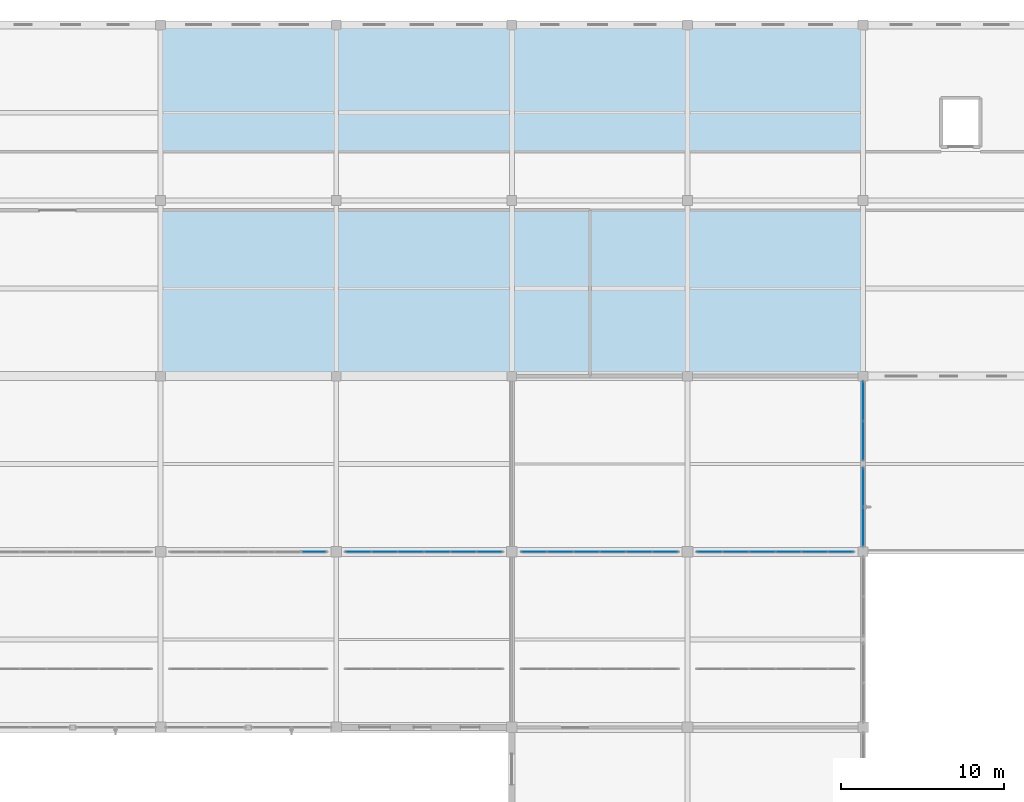
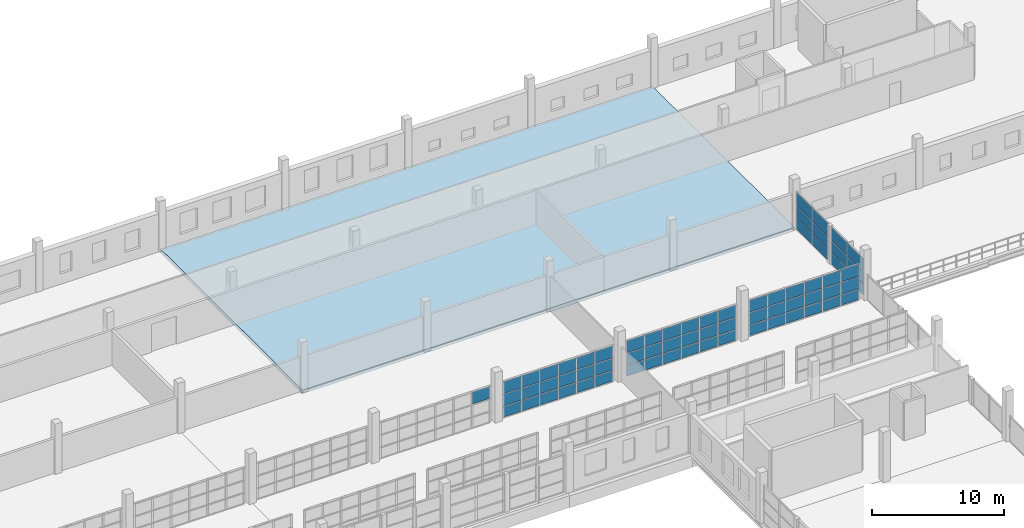
# One storey, part 101 of 142: 67 plates, 1 slab, 6 elements without a shape of their own.
"""IFC4 building model written with IfcOpenShell, lengths in metres."""

import ifcopenshell
import ifcopenshell.guid

model = None  # the IFC model being written
_history = None  # IfcOwnerHistory: only IFC2X3 demands one
_inside = {}  # id of a spatial element -> (the spatial element, [elements in it])
_under = {}  # id of a project, library or spatial element -> (it, [spatial elements below it])
_declared = {}  # id of a project -> (the project, [libraries it declares])
_typed = {}  # id of a type object -> (the type object, [elements of that type])
_made_of = {}  # id of a material, layer set ... -> (it, [elements and type objects made of it])


def new_model(schema):
    """Start an empty IFC model of exactly this schema.

    Asked for "IFC4X3", IfcOpenShell would pick the latest addendum, in which some entities
    have other attributes; the version numbers below select the first issue.
    IFC2X3 requires an IfcOwnerHistory on every rooted entity: one is made here for all.
    """
    global model, _history
    if schema == "IFC4X3":
        model = ifcopenshell.file(schema_version=(4, 3, 0, 0))
    else:
        model = ifcopenshell.file(schema=schema)
    _inside.clear()
    _under.clear()
    _declared.clear()
    _typed.clear()
    _made_of.clear()
    _history = None
    if model.schema == "IFC2X3":
        org = make("IfcOrganization", Name="unknown")
        user = make(
            "IfcPersonAndOrganization",
            ThePerson=make("IfcPerson", FamilyName="unknown"),
            TheOrganization=org,
        )
        app = make(
            "IfcApplication",
            ApplicationDeveloper=org,
            Version="unknown",
            ApplicationFullName="unknown",
            ApplicationIdentifier="unknown",
        )
        _history = make(
            "IfcOwnerHistory",
            OwningUser=user,
            OwningApplication=app,
            ChangeAction="ADDED",
            CreationDate=0,
        )
    return model


def make(cls, **values):
    """One entity of the class cls with the attributes given. An attribute that is None is left unset."""
    return model.create_entity(
        cls, **{name: value for name, value in values.items() if value is not None}
    )


def rooted(cls, **values):
    """An entity with a GlobalId (a new one), such as an element, a storey or a relation."""
    return make(cls, GlobalId=ifcopenshell.guid.new(), OwnerHistory=_history, **values)


def si_unit(unit_type, name, prefix=None):
    """IfcSIUnit, for example si_unit("LENGTHUNIT", "METRE", prefix="MILLI")."""
    return make("IfcSIUnit", UnitType=unit_type, Prefix=prefix, Name=name)


def assignment(units):
    """IfcUnitAssignment: the units of a project."""
    return None if units is None else make("IfcUnitAssignment", Units=units)


def point(xyz):
    """IfcCartesianPoint."""
    return None if xyz is None else make("IfcCartesianPoint", Coordinates=xyz)


def direction(xyz):
    """IfcDirection."""
    return None if xyz is None else make("IfcDirection", DirectionRatios=xyz)


def frame(location, z_axis=None, x_axis=None):
    """IfcAxis2Placement3D, a coordinate frame: its origin and axes. An axis left out is left unset."""
    return make(
        "IfcAxis2Placement3D",
        Location=point(location),
        Axis=direction(z_axis),
        RefDirection=direction(x_axis),
    )


def frame_2d(location, x_axis=None):
    """IfcAxis2Placement2D, a coordinate frame in the plane: its origin and x axis."""
    return make(
        "IfcAxis2Placement2D", Location=point(location), RefDirection=direction(x_axis)
    )


def origin():
    """The frame at (0, 0, 0) with its axes left unset."""
    return frame((0.0, 0.0, 0.0))


def origin_2d():
    """The frame at (0, 0) in the plane with its x axis left unset."""
    return frame_2d((0.0, 0.0))


def place(relative_to, where):
    """IfcLocalPlacement: puts the frame where relative to a parent placement (None: the world)."""
    return make(
        "IfcLocalPlacement", PlacementRelTo=relative_to, RelativePlacement=where
    )


def context(
    kind, dimensions, precision=None, world=None, true_north=None, identifier=None
):
    """IfcGeometricRepresentationContext, for example the 3D "Model" context."""
    return make(
        "IfcGeometricRepresentationContext",
        ContextIdentifier=identifier,
        ContextType=kind,
        CoordinateSpaceDimension=dimensions,
        Precision=precision,
        WorldCoordinateSystem=world,
        TrueNorth=true_north,
    )


def subcontext(parent, identifier, kind, view, scale=None):
    """IfcGeometricRepresentationSubContext, for example "Body" below "Model"."""
    return make(
        "IfcGeometricRepresentationSubContext",
        ContextIdentifier=identifier,
        ContextType=kind,
        ParentContext=parent,
        TargetScale=scale,
        TargetView=view,
    )


def project(units=None, contexts=None):
    """IfcProject with its units and contexts."""
    return rooted(
        "IfcProject",
        Name="project",
        RepresentationContexts=contexts,
        UnitsInContext=assignment(units),
    )


def spatial(cls, under=None, at=None, **own):
    """A site, building, storey or space (cls), placed at a placement, below another one or the project."""
    s = rooted(cls, ObjectPlacement=at, **own)
    if under is not None:
        _under.setdefault(under.id(), (under, []))[1].append(s)
    return s


def polyline(points):
    """IfcPolyline through the points."""
    return make("IfcPolyline", Points=[point(p) for p in points])


def profile(cls, at=None, kind="AREA", **sizes):
    """A parametric profile (cls). Its sizes go by their IFC names, for example OverallWidth=200.0."""
    return make(cls, ProfileType=kind, Position=at, **sizes)


def rectangle(**sizes):
    """IfcRectangleProfileDef."""
    return profile("IfcRectangleProfileDef", **sizes)


def outline(outer, holes=None, kind="AREA"):
    """IfcArbitraryClosedProfileDef: a profile drawn as a closed curve; with holes, ...WithVoids."""
    if holes is None:
        return make("IfcArbitraryClosedProfileDef", ProfileType=kind, OuterCurve=outer)
    return make(
        "IfcArbitraryProfileDefWithVoids",
        ProfileType=kind,
        OuterCurve=outer,
        InnerCurves=holes,
    )


def extrude(swept, where, along, depth):
    """IfcExtrudedAreaSolid: the profile swept, set in the frame where, extruded along a direction by depth."""
    return make(
        "IfcExtrudedAreaSolid",
        SweptArea=swept,
        Position=where,
        ExtrudedDirection=direction(along),
        Depth=depth,
    )


def shape(context_of_items, identifier, shape_type, items):
    """IfcShapeRepresentation: the items that make up one representation, for example the "Body"."""
    return make(
        "IfcShapeRepresentation",
        ContextOfItems=context_of_items,
        RepresentationIdentifier=identifier,
        RepresentationType=shape_type,
        Items=items,
    )


def material(Name=None, Category=None):
    """IfcMaterial."""
    return make("IfcMaterial", Name=Name, Category=Category)


def layer(
    of_material, thickness, ventilated=None, Name=None, Category=None, Priority=None
):
    """IfcMaterialLayer: one layer of a wall or slab, of a material (None: an air gap)."""
    return make(
        "IfcMaterialLayer",
        Material=of_material,
        LayerThickness=thickness,
        IsVentilated=ventilated,
        Name=Name,
        Category=Category,
        Priority=Priority,
    )


def layer_set(layers, Name=None):
    """IfcMaterialLayerSet."""
    return make("IfcMaterialLayerSet", MaterialLayers=layers, LayerSetName=Name)


def made_of(thing, what):
    """Note that an element or type object is made of a material, layer set ...; save() writes the relation."""
    if what is not None:
        _made_of.setdefault(what.id(), (what, []))[1].append(thing)
    return thing


def type_object(cls, material=None, **own):
    """A type object (cls), such as IfcWallType, which elements share."""
    return made_of(rooted(cls, **own), material)


def element(
    cls,
    number,
    at=None,
    inside=None,
    cuts=None,
    type_object=None,
    material=None,
    context=None,
    identifier="Body",
    shape_type=None,
    held_by="IfcProductDefinitionShape",
    body=None,
    shapes=None,
    **own,
):
    """One element of the class cls, such as IfcWall. Its Tag is "e" and its number.

    at: its placement. inside: the storey or other place that contains it. cuts: it is an
    opening in that element (IfcRelVoidsElement). A single representation is given by context,
    identifier, shape_type and body (its items); several are given by shapes. held_by: the class
    of the entity that holds the representations. save() writes the other relations.
    """
    e = rooted(cls, Tag="e%d" % number, ObjectPlacement=at, **own)
    if body is not None:
        shapes = [shape(context, identifier, shape_type, body)]
    if shapes is not None:
        e.Representation = make(held_by, Representations=shapes)
    if inside is not None:
        _inside.setdefault(inside.id(), (inside, []))[1].append(e)
    if cuts is not None:
        rooted(
            "IfcRelVoidsElement", RelatingBuildingElement=cuts, RelatedOpeningElement=e
        )
    if type_object is not None:
        _typed.setdefault(type_object.id(), (type_object, []))[1].append(e)
    return made_of(e, material)


def aggregate(whole, parts):
    """IfcRelAggregates: a whole, such as a stair, and the parts it consists of."""
    return rooted("IfcRelAggregates", RelatingObject=whole, RelatedObjects=parts)


def save(model, path):
    """Write the relations noted so far, then the file.

    IfcRelAggregates (storeys below a building ...), IfcRelContainedInSpatialStructure (elements
    in a storey), IfcRelDefinesByType, IfcRelAssociatesMaterial and IfcRelDeclares: one each for
    every whole, place, type object, material and project.
    """
    for whole, parts in _under.values():
        aggregate(whole, parts)
    for where, things in _inside.values():
        rooted(
            "IfcRelContainedInSpatialStructure",
            RelatedElements=things,
            RelatingStructure=where,
        )
    for kind, things in _typed.values():
        rooted("IfcRelDefinesByType", RelatedObjects=things, RelatingType=kind)
    for what, things in _made_of.values():
        rooted("IfcRelAssociatesMaterial", RelatedObjects=things, RelatingMaterial=what)
    for by, libraries in _declared.values():
        rooted("IfcRelDeclares", RelatingContext=by, RelatedDefinitions=libraries)
    model.write(path)


model = new_model("IFC4")

# Units and contexts
model_context = context("Model", 3, precision=1e-05, world=origin(), true_north=direction((0.0, 1.0)))
body_context = subcontext(model_context, "Body", "Model", "MODEL_VIEW")
ifc_project = project(units=[si_unit("LENGTHUNIT", "METRE"), si_unit("AREAUNIT", "SQUARE_METRE"), si_unit("VOLUMEUNIT", "CUBIC_METRE"), si_unit("PLANEANGLEUNIT", "RADIAN"), si_unit("MASSUNIT", "GRAM", prefix="KILO")], contexts=[model_context])

# Site, building, storey
site_placement = place(None, origin())
site = spatial("IfcSite", under=ifc_project, at=site_placement, CompositionType="ELEMENT")
building_placement = place(site_placement, origin())
building = spatial("IfcBuilding", under=site, at=building_placement, Name="Zwinboog Wholesale Market", CompositionType="ELEMENT")
storey_placement = place(building_placement, frame((0.0, 0.0, 5.39990234375)))
storey = spatial("IfcBuildingStorey", under=building, at=storey_placement, Name="L01", CompositionType="ELEMENT", Elevation=5.39990234375)

# Slab
ifc_material_1 = material(Name="Precast concrete C45/55", Category="concrete")
ifc_layer_1 = layer(ifc_material_1, 0.33203125)
ifc_layer_set_1 = layer_set([ifc_layer_1], Name="Precast concrete C45/55")
slab_type = type_object("IfcSlabType", Name="SLT-FL-332", PredefinedType="FLOOR", material=ifc_layer_set_1)
slab_placement = place(storey_placement, frame((0.0, 0.0, -0.331787109375)))
element("IfcSlab", 1, at=slab_placement, inside=storey, type_object=slab_type, Name="SF-332 (SLB-L01-046)", PredefinedType="FLOOR", context=body_context, shape_type="SweptSolid", body=[
    extrude(outline(polyline([(129.60009765625, 108.0), (172.800048828125, 108.0), (172.800048828125, 129.60009765625), (129.60009765625, 129.60009765625), (129.60009765625, 108.0)])), origin(), (0.0, 0.0, 1.0), 0.331787109375),
])

# Curtain wall, plates
ifc_material_2 = material(Name="Aluminium thermally broken curtain wall", Category="aluminium")
curtain_wall_type_1 = type_object("IfcCurtainWallType", Name="CWT-HALL-24", PredefinedType="USERDEFINED", material=ifc_material_2)
curtain_wall_1_placement = place(storey_placement, origin())
curtain_wall_1 = element("IfcCurtainWall", 2, at=curtain_wall_1_placement, inside=storey, type_object=curtain_wall_type_1, Name="CW-03 (CW-L01-141)", ObjectType="UNITIZED_CURTAIN_WALL", PredefinedType="USERDEFINED")
ifc_material_3 = material(Name="Triple solar-control insulated glazing", Category="glass")
ifc_layer_2 = layer(ifc_material_3, 0.0380859375)
ifc_layer_set_2 = layer_set([ifc_layer_2], Name="Triple solar-control insulated glazing")
plate_type_1 = type_object("IfcPlateType", Name="CWP-IGU-38", PredefinedType="CURTAIN_PANEL", material=ifc_layer_set_2)
plate_1_placement = place(storey_placement, frame((172.800048828125, 98.737548828125, 0.065185546875), z_axis=(0.0, 0.0, 1.0), x_axis=(0.0, 1.0, 0.0)))
plate_1 = element("IfcPlate", 3, at=plate_1_placement, type_object=plate_type_1, Name="CW-03 panel 1.1", PredefinedType="CURTAIN_PANEL", context=body_context, shape_type="SweptSolid", body=[
    extrude(rectangle(XDim=2.35498046875, YDim=0.0380859375, at=origin_2d()), origin(), (0.0, 0.0, 1.0), 1.00244140625),
])
plate_2_placement = place(storey_placement, frame((172.800048828125, 98.737548828125, 1.132568359375), z_axis=(0.0, 0.0, 1.0), x_axis=(0.0, 1.0, 0.0)))
plate_2 = element("IfcPlate", 4, at=plate_2_placement, type_object=plate_type_1, Name="CW-03 panel 1.2", PredefinedType="CURTAIN_PANEL", context=body_context, shape_type="SweptSolid", body=[
    extrude(rectangle(XDim=2.35498046875, YDim=0.0380859375, at=origin_2d()), origin(), (0.0, 0.0, 1.0), 1.0849609375),
])
plate_3_placement = place(storey_placement, frame((172.800048828125, 98.737548828125, 2.282470703125), z_axis=(0.0, 0.0, 1.0), x_axis=(0.0, 1.0, 0.0)))
plate_3 = element("IfcPlate", 5, at=plate_3_placement, type_object=plate_type_1, Name="CW-03 panel 1.3", PredefinedType="CURTAIN_PANEL", context=body_context, shape_type="SweptSolid", body=[
    extrude(rectangle(XDim=2.35498046875, YDim=0.0380859375, at=origin_2d()), origin(), (0.0, 0.0, 1.0), 1.1826171875),
])
plate_4_placement = place(storey_placement, frame((172.800048828125, 101.157470703125, 0.065185546875), z_axis=(0.0, 0.0, 1.0), x_axis=(0.0, 1.0, 0.0)))
plate_4 = element("IfcPlate", 6, at=plate_4_placement, type_object=plate_type_1, Name="CW-03 panel 2.1", PredefinedType="CURTAIN_PANEL", context=body_context, shape_type="SweptSolid", body=[
    extrude(rectangle(XDim=2.35498046875, YDim=0.0380859375, at=origin_2d()), origin(), (0.0, 0.0, 1.0), 1.00244140625),
])
plate_5_placement = place(storey_placement, frame((172.800048828125, 101.157470703125, 1.132568359375), z_axis=(0.0, 0.0, 1.0), x_axis=(0.0, 1.0, 0.0)))
plate_5 = element("IfcPlate", 7, at=plate_5_placement, type_object=plate_type_1, Name="CW-03 panel 2.2", PredefinedType="CURTAIN_PANEL", context=body_context, shape_type="SweptSolid", body=[
    extrude(rectangle(XDim=2.35498046875, YDim=0.0380859375, at=origin_2d()), origin(), (0.0, 0.0, 1.0), 1.0849609375),
])
plate_6_placement = place(storey_placement, frame((172.800048828125, 101.157470703125, 2.282470703125), z_axis=(0.0, 0.0, 1.0), x_axis=(0.0, 1.0, 0.0)))
plate_6 = element("IfcPlate", 8, at=plate_6_placement, type_object=plate_type_1, Name="CW-03 panel 2.3", PredefinedType="CURTAIN_PANEL", context=body_context, shape_type="SweptSolid", body=[
    extrude(rectangle(XDim=2.35498046875, YDim=0.0380859375, at=origin_2d()), origin(), (0.0, 0.0, 1.0), 1.1826171875),
])
aggregate(curtain_wall_1, [plate_1, plate_2, plate_3, plate_4, plate_5, plate_6])

curtain_wall_type_2 = type_object("IfcCurtainWallType", Name="CWT-GAL-16", PredefinedType="USERDEFINED", material=ifc_material_2)
curtain_wall_2_placement = place(storey_placement, origin())
curtain_wall_2 = element("IfcCurtainWall", 9, at=curtain_wall_2_placement, inside=storey, type_object=curtain_wall_type_2, Name="CW-04 (CW-L01-142)", ObjectType="UNITIZED_CURTAIN_WALL", PredefinedType="USERDEFINED")
plate_7_placement = place(storey_placement, frame((172.800048828125, 104.041259765625, 0.06005859375), z_axis=(0.0, 0.0, 1.0), x_axis=(0.0, 1.0, 0.0)))
plate_7 = element("IfcPlate", 10, at=plate_7_placement, type_object=plate_type_1, Name="CW-04 panel 1.1", PredefinedType="CURTAIN_PANEL", context=body_context, shape_type="SweptSolid", body=[
    extrude(rectangle(XDim=2.362548828125, YDim=0.0380859375, at=origin_2d()), origin(), (0.0, 0.0, 1.0), 1.010009765625),
])
plate_8_placement = place(storey_placement, frame((172.800048828125, 104.041259765625, 1.1298828125), z_axis=(0.0, 0.0, 1.0), x_axis=(0.0, 1.0, 0.0)))
plate_8 = element("IfcPlate", 11, at=plate_8_placement, type_object=plate_type_1, Name="CW-04 panel 1.2", PredefinedType="CURTAIN_PANEL", context=body_context, shape_type="SweptSolid", body=[
    extrude(rectangle(XDim=2.362548828125, YDim=0.0380859375, at=origin_2d()), origin(), (0.0, 0.0, 1.0), 1.090087890625),
])
plate_9_placement = place(storey_placement, frame((172.800048828125, 104.041259765625, 2.280029296875), z_axis=(0.0, 0.0, 1.0), x_axis=(0.0, 1.0, 0.0)))
plate_9 = element("IfcPlate", 12, at=plate_9_placement, type_object=plate_type_1, Name="CW-04 panel 1.3", PredefinedType="CURTAIN_PANEL", context=body_context, shape_type="SweptSolid", body=[
    extrude(rectangle(XDim=2.362548828125, YDim=0.0380859375, at=origin_2d()), origin(), (0.0, 0.0, 1.0), 1.18994140625),
])
plate_10_placement = place(storey_placement, frame((172.800048828125, 106.4638671875, 0.06005859375), z_axis=(0.0, 0.0, 1.0), x_axis=(0.0, 1.0, 0.0)))
plate_10 = element("IfcPlate", 13, at=plate_10_placement, type_object=plate_type_1, Name="CW-04 panel 2.1", PredefinedType="CURTAIN_PANEL", context=body_context, shape_type="SweptSolid", body=[
    extrude(rectangle(XDim=2.362548828125, YDim=0.0380859375, at=origin_2d()), origin(), (0.0, 0.0, 1.0), 1.010009765625),
])
plate_11_placement = place(storey_placement, frame((172.800048828125, 106.4638671875, 1.1298828125), z_axis=(0.0, 0.0, 1.0), x_axis=(0.0, 1.0, 0.0)))
plate_11 = element("IfcPlate", 14, at=plate_11_placement, type_object=plate_type_1, Name="CW-04 panel 2.2", PredefinedType="CURTAIN_PANEL", context=body_context, shape_type="SweptSolid", body=[
    extrude(rectangle(XDim=2.362548828125, YDim=0.0380859375, at=origin_2d()), origin(), (0.0, 0.0, 1.0), 1.090087890625),
])
plate_12_placement = place(storey_placement, frame((172.800048828125, 106.4638671875, 2.280029296875), z_axis=(0.0, 0.0, 1.0), x_axis=(0.0, 1.0, 0.0)))
plate_12 = element("IfcPlate", 15, at=plate_12_placement, type_object=plate_type_1, Name="CW-04 panel 2.3", PredefinedType="CURTAIN_PANEL", context=body_context, shape_type="SweptSolid", body=[
    extrude(rectangle(XDim=2.362548828125, YDim=0.0380859375, at=origin_2d()), origin(), (0.0, 0.0, 1.0), 1.18994140625),
])
aggregate(curtain_wall_2, [plate_7, plate_8, plate_9, plate_10, plate_11, plate_12])

# Curtain wall, plate
curtain_wall_type_3 = type_object("IfcCurtainWallType", Name="CWT-INT-STALL", PredefinedType="USERDEFINED", material=ifc_material_2)
curtain_wall_3_placement = place(storey_placement, origin())
curtain_wall_3 = element("IfcCurtainWall", 16, at=curtain_wall_3_placement, inside=storey, type_object=curtain_wall_type_3, Name="CW-07 (CW-STL-251)", ObjectType="STOREFRONT_GLAZING", PredefinedType="USERDEFINED")
ifc_material_4 = material(Name="Tempered laminated market stall glazing", Category="glass")
ifc_layer_3 = layer(ifc_material_4, 0.01611328125)
ifc_layer_set_3 = layer_set([ifc_layer_3], Name="Tempered laminated market stall glazing")
plate_type_2 = type_object("IfcPlateType", Name="CWP-INT-16", PredefinedType="CURTAIN_PANEL", material=ifc_layer_set_3)
plate_13_placement = place(storey_placement, frame((139.026611328125, 97.199951171875, 2.22998046875), z_axis=(0.0, 0.0, 1.0), x_axis=(1.0, 0.0, 0.0)))
plate_13 = element("IfcPlate", 17, at=plate_13_placement, type_object=plate_type_2, Name="CW-07 panel 6.3", PredefinedType="CURTAIN_PANEL", context=body_context, shape_type="SweptSolid", body=[
    extrude(rectangle(XDim=1.526611328125, YDim=0.01611328125, at=origin_2d()), origin(), (0.0, 0.0, 1.0), 1.110107421875),
])
aggregate(curtain_wall_3, [plate_13])

# Curtain wall, plates
curtain_wall_4_placement = place(storey_placement, origin())
curtain_wall_4 = element("IfcCurtainWall", 18, at=curtain_wall_4_placement, inside=storey, type_object=curtain_wall_type_3, Name="CW-07 (CW-STL-252)", ObjectType="STOREFRONT_GLAZING", PredefinedType="USERDEFINED")
plate_14_placement = place(storey_placement, frame((141.7734375, 97.199951171875, 0.06005859375), z_axis=(0.0, 0.0, 1.0), x_axis=(1.0, 0.0, 0.0)))
plate_14 = element("IfcPlate", 19, at=plate_14_placement, type_object=plate_type_2, Name="CW-07 panel 1.1", PredefinedType="CURTAIN_PANEL", context=body_context, shape_type="SweptSolid", body=[
    extrude(rectangle(XDim=1.526611328125, YDim=0.01611328125, at=origin_2d()), origin(), (0.0, 0.0, 1.0), 0.9599609375),
])
plate_15_placement = place(storey_placement, frame((141.7734375, 97.199951171875, 1.080078125), z_axis=(0.0, 0.0, 1.0), x_axis=(1.0, 0.0, 0.0)))
plate_15 = element("IfcPlate", 20, at=plate_15_placement, type_object=plate_type_2, Name="CW-07 panel 1.2", PredefinedType="CURTAIN_PANEL", context=body_context, shape_type="SweptSolid", body=[
    extrude(rectangle(XDim=1.526611328125, YDim=0.01611328125, at=origin_2d()), origin(), (0.0, 0.0, 1.0), 1.090087890625),
])
plate_16_placement = place(storey_placement, frame((141.7734375, 97.199951171875, 2.22998046875), z_axis=(0.0, 0.0, 1.0), x_axis=(1.0, 0.0, 0.0)))
plate_16 = element("IfcPlate", 21, at=plate_16_placement, type_object=plate_type_2, Name="CW-07 panel 1.3", PredefinedType="CURTAIN_PANEL", context=body_context, shape_type="SweptSolid", body=[
    extrude(rectangle(XDim=1.526611328125, YDim=0.01611328125, at=origin_2d()), origin(), (0.0, 0.0, 1.0), 1.110107421875),
])
plate_17_placement = place(storey_placement, frame((143.375, 97.199951171875, 0.06005859375), z_axis=(0.0, 0.0, 1.0), x_axis=(1.0, 0.0, 0.0)))
plate_17 = element("IfcPlate", 22, at=plate_17_placement, type_object=plate_type_2, Name="CW-07 panel 2.1", PredefinedType="CURTAIN_PANEL", context=body_context, shape_type="SweptSolid", body=[
    extrude(rectangle(XDim=1.556640625, YDim=0.01611328125, at=origin_2d()), origin(), (0.0, 0.0, 1.0), 0.9599609375),
])
plate_18_placement = place(storey_placement, frame((143.375, 97.199951171875, 1.080078125), z_axis=(0.0, 0.0, 1.0), x_axis=(1.0, 0.0, 0.0)))
plate_18 = element("IfcPlate", 23, at=plate_18_placement, type_object=plate_type_2, Name="CW-07 panel 2.2", PredefinedType="CURTAIN_PANEL", context=body_context, shape_type="SweptSolid", body=[
    extrude(rectangle(XDim=1.556640625, YDim=0.01611328125, at=origin_2d()), origin(), (0.0, 0.0, 1.0), 1.090087890625),
])
plate_19_placement = place(storey_placement, frame((143.375, 97.199951171875, 2.22998046875), z_axis=(0.0, 0.0, 1.0), x_axis=(1.0, 0.0, 0.0)))
plate_19 = element("IfcPlate", 24, at=plate_19_placement, type_object=plate_type_2, Name="CW-07 panel 2.3", PredefinedType="CURTAIN_PANEL", context=body_context, shape_type="SweptSolid", body=[
    extrude(rectangle(XDim=1.556640625, YDim=0.01611328125, at=origin_2d()), origin(), (0.0, 0.0, 1.0), 1.110107421875),
])
plate_20_placement = place(storey_placement, frame((144.99169921875, 97.199951171875, 0.06005859375), z_axis=(0.0, 0.0, 1.0), x_axis=(1.0, 0.0, 0.0)))
plate_20 = element("IfcPlate", 25, at=plate_20_placement, type_object=plate_type_2, Name="CW-07 panel 3.1", PredefinedType="CURTAIN_PANEL", context=body_context, shape_type="SweptSolid", body=[
    extrude(rectangle(XDim=1.556640625, YDim=0.01611328125, at=origin_2d()), origin(), (0.0, 0.0, 1.0), 0.9599609375),
])
plate_21_placement = place(storey_placement, frame((144.99169921875, 97.199951171875, 1.080078125), z_axis=(0.0, 0.0, 1.0), x_axis=(1.0, 0.0, 0.0)))
plate_21 = element("IfcPlate", 26, at=plate_21_placement, type_object=plate_type_2, Name="CW-07 panel 3.2", PredefinedType="CURTAIN_PANEL", context=body_context, shape_type="SweptSolid", body=[
    extrude(rectangle(XDim=1.556640625, YDim=0.01611328125, at=origin_2d()), origin(), (0.0, 0.0, 1.0), 1.090087890625),
])
plate_22_placement = place(storey_placement, frame((144.99169921875, 97.199951171875, 2.22998046875), z_axis=(0.0, 0.0, 1.0), x_axis=(1.0, 0.0, 0.0)))
plate_22 = element("IfcPlate", 27, at=plate_22_placement, type_object=plate_type_2, Name="CW-07 panel 3.3", PredefinedType="CURTAIN_PANEL", context=body_context, shape_type="SweptSolid", body=[
    extrude(rectangle(XDim=1.556640625, YDim=0.01611328125, at=origin_2d()), origin(), (0.0, 0.0, 1.0), 1.110107421875),
])
plate_23_placement = place(storey_placement, frame((146.6083984375, 97.199951171875, 0.06005859375), z_axis=(0.0, 0.0, 1.0), x_axis=(1.0, 0.0, 0.0)))
plate_23 = element("IfcPlate", 28, at=plate_23_placement, type_object=plate_type_2, Name="CW-07 panel 4.1", PredefinedType="CURTAIN_PANEL", context=body_context, shape_type="SweptSolid", body=[
    extrude(rectangle(XDim=1.556640625, YDim=0.01611328125, at=origin_2d()), origin(), (0.0, 0.0, 1.0), 0.9599609375),
])
plate_24_placement = place(storey_placement, frame((146.6083984375, 97.199951171875, 1.080078125), z_axis=(0.0, 0.0, 1.0), x_axis=(1.0, 0.0, 0.0)))
plate_24 = element("IfcPlate", 29, at=plate_24_placement, type_object=plate_type_2, Name="CW-07 panel 4.2", PredefinedType="CURTAIN_PANEL", context=body_context, shape_type="SweptSolid", body=[
    extrude(rectangle(XDim=1.556640625, YDim=0.01611328125, at=origin_2d()), origin(), (0.0, 0.0, 1.0), 1.090087890625),
])
plate_25_placement = place(storey_placement, frame((146.6083984375, 97.199951171875, 2.22998046875), z_axis=(0.0, 0.0, 1.0), x_axis=(1.0, 0.0, 0.0)))
plate_25 = element("IfcPlate", 30, at=plate_25_placement, type_object=plate_type_2, Name="CW-07 panel 4.3", PredefinedType="CURTAIN_PANEL", context=body_context, shape_type="SweptSolid", body=[
    extrude(rectangle(XDim=1.556640625, YDim=0.01611328125, at=origin_2d()), origin(), (0.0, 0.0, 1.0), 1.110107421875),
])
plate_26_placement = place(storey_placement, frame((148.22509765625, 97.199951171875, 0.06005859375), z_axis=(0.0, 0.0, 1.0), x_axis=(1.0, 0.0, 0.0)))
plate_26 = element("IfcPlate", 31, at=plate_26_placement, type_object=plate_type_2, Name="CW-07 panel 5.1", PredefinedType="CURTAIN_PANEL", context=body_context, shape_type="SweptSolid", body=[
    extrude(rectangle(XDim=1.556640625, YDim=0.01611328125, at=origin_2d()), origin(), (0.0, 0.0, 1.0), 0.9599609375),
])
plate_27_placement = place(storey_placement, frame((148.22509765625, 97.199951171875, 1.080078125), z_axis=(0.0, 0.0, 1.0), x_axis=(1.0, 0.0, 0.0)))
plate_27 = element("IfcPlate", 32, at=plate_27_placement, type_object=plate_type_2, Name="CW-07 panel 5.2", PredefinedType="CURTAIN_PANEL", context=body_context, shape_type="SweptSolid", body=[
    extrude(rectangle(XDim=1.556640625, YDim=0.01611328125, at=origin_2d()), origin(), (0.0, 0.0, 1.0), 1.090087890625),
])
plate_28_placement = place(storey_placement, frame((148.22509765625, 97.199951171875, 2.22998046875), z_axis=(0.0, 0.0, 1.0), x_axis=(1.0, 0.0, 0.0)))
plate_28 = element("IfcPlate", 33, at=plate_28_placement, type_object=plate_type_2, Name="CW-07 panel 5.3", PredefinedType="CURTAIN_PANEL", context=body_context, shape_type="SweptSolid", body=[
    extrude(rectangle(XDim=1.556640625, YDim=0.01611328125, at=origin_2d()), origin(), (0.0, 0.0, 1.0), 1.110107421875),
])
plate_29_placement = place(storey_placement, frame((149.82666015625, 97.199951171875, 0.06005859375), z_axis=(0.0, 0.0, 1.0), x_axis=(1.0, 0.0, 0.0)))
plate_29 = element("IfcPlate", 34, at=plate_29_placement, type_object=plate_type_2, Name="CW-07 panel 6.1", PredefinedType="CURTAIN_PANEL", context=body_context, shape_type="SweptSolid", body=[
    extrude(rectangle(XDim=1.526611328125, YDim=0.01611328125, at=origin_2d()), origin(), (0.0, 0.0, 1.0), 0.9599609375),
])
plate_30_placement = place(storey_placement, frame((149.82666015625, 97.199951171875, 1.080078125), z_axis=(0.0, 0.0, 1.0), x_axis=(1.0, 0.0, 0.0)))
plate_30 = element("IfcPlate", 35, at=plate_30_placement, type_object=plate_type_2, Name="CW-07 panel 6.2", PredefinedType="CURTAIN_PANEL", context=body_context, shape_type="SweptSolid", body=[
    extrude(rectangle(XDim=1.526611328125, YDim=0.01611328125, at=origin_2d()), origin(), (0.0, 0.0, 1.0), 1.090087890625),
])
plate_31_placement = place(storey_placement, frame((149.82666015625, 97.199951171875, 2.22998046875), z_axis=(0.0, 0.0, 1.0), x_axis=(1.0, 0.0, 0.0)))
plate_31 = element("IfcPlate", 36, at=plate_31_placement, type_object=plate_type_2, Name="CW-07 panel 6.3", PredefinedType="CURTAIN_PANEL", context=body_context, shape_type="SweptSolid", body=[
    extrude(rectangle(XDim=1.526611328125, YDim=0.01611328125, at=origin_2d()), origin(), (0.0, 0.0, 1.0), 1.110107421875),
])
aggregate(curtain_wall_4, [plate_14, plate_15, plate_16, plate_17, plate_18, plate_19, plate_20, plate_21, plate_22, plate_23, plate_24, plate_25, plate_26, plate_27, plate_28, plate_29, plate_30, plate_31])

curtain_wall_5_placement = place(storey_placement, origin())
curtain_wall_5 = element("IfcCurtainWall", 37, at=curtain_wall_5_placement, inside=storey, type_object=curtain_wall_type_3, Name="CW-07 (CW-STL-253)", ObjectType="STOREFRONT_GLAZING", PredefinedType="USERDEFINED")
plate_32_placement = place(storey_placement, frame((152.5732421875, 97.199951171875, 0.06005859375), z_axis=(0.0, 0.0, 1.0), x_axis=(1.0, 0.0, 0.0)))
plate_32 = element("IfcPlate", 38, at=plate_32_placement, type_object=plate_type_2, Name="CW-07 panel 1.1", PredefinedType="CURTAIN_PANEL", context=body_context, shape_type="SweptSolid", body=[
    extrude(rectangle(XDim=1.526611328125, YDim=0.01611328125, at=origin_2d()), origin(), (0.0, 0.0, 1.0), 0.9599609375),
])
plate_33_placement = place(storey_placement, frame((152.5732421875, 97.199951171875, 1.080078125), z_axis=(0.0, 0.0, 1.0), x_axis=(1.0, 0.0, 0.0)))
plate_33 = element("IfcPlate", 39, at=plate_33_placement, type_object=plate_type_2, Name="CW-07 panel 1.2", PredefinedType="CURTAIN_PANEL", context=body_context, shape_type="SweptSolid", body=[
    extrude(rectangle(XDim=1.526611328125, YDim=0.01611328125, at=origin_2d()), origin(), (0.0, 0.0, 1.0), 1.090087890625),
])
plate_34_placement = place(storey_placement, frame((152.5732421875, 97.199951171875, 2.22998046875), z_axis=(0.0, 0.0, 1.0), x_axis=(1.0, 0.0, 0.0)))
plate_34 = element("IfcPlate", 40, at=plate_34_placement, type_object=plate_type_2, Name="CW-07 panel 1.3", PredefinedType="CURTAIN_PANEL", context=body_context, shape_type="SweptSolid", body=[
    extrude(rectangle(XDim=1.526611328125, YDim=0.01611328125, at=origin_2d()), origin(), (0.0, 0.0, 1.0), 1.110107421875),
])
plate_35_placement = place(storey_placement, frame((154.175048828125, 97.199951171875, 0.06005859375), z_axis=(0.0, 0.0, 1.0), x_axis=(1.0, 0.0, 0.0)))
plate_35 = element("IfcPlate", 41, at=plate_35_placement, type_object=plate_type_2, Name="CW-07 panel 2.1", PredefinedType="CURTAIN_PANEL", context=body_context, shape_type="SweptSolid", body=[
    extrude(rectangle(XDim=1.556640625, YDim=0.01611328125, at=origin_2d()), origin(), (0.0, 0.0, 1.0), 0.9599609375),
])
plate_36_placement = place(storey_placement, frame((154.175048828125, 97.199951171875, 1.080078125), z_axis=(0.0, 0.0, 1.0), x_axis=(1.0, 0.0, 0.0)))
plate_36 = element("IfcPlate", 42, at=plate_36_placement, type_object=plate_type_2, Name="CW-07 panel 2.2", PredefinedType="CURTAIN_PANEL", context=body_context, shape_type="SweptSolid", body=[
    extrude(rectangle(XDim=1.556640625, YDim=0.01611328125, at=origin_2d()), origin(), (0.0, 0.0, 1.0), 1.090087890625),
])
plate_37_placement = place(storey_placement, frame((154.175048828125, 97.199951171875, 2.22998046875), z_axis=(0.0, 0.0, 1.0), x_axis=(1.0, 0.0, 0.0)))
plate_37 = element("IfcPlate", 43, at=plate_37_placement, type_object=plate_type_2, Name="CW-07 panel 2.3", PredefinedType="CURTAIN_PANEL", context=body_context, shape_type="SweptSolid", body=[
    extrude(rectangle(XDim=1.556640625, YDim=0.01611328125, at=origin_2d()), origin(), (0.0, 0.0, 1.0), 1.110107421875),
])
plate_38_placement = place(storey_placement, frame((155.791748046875, 97.199951171875, 0.06005859375), z_axis=(0.0, 0.0, 1.0), x_axis=(1.0, 0.0, 0.0)))
plate_38 = element("IfcPlate", 44, at=plate_38_placement, type_object=plate_type_2, Name="CW-07 panel 3.1", PredefinedType="CURTAIN_PANEL", context=body_context, shape_type="SweptSolid", body=[
    extrude(rectangle(XDim=1.556640625, YDim=0.01611328125, at=origin_2d()), origin(), (0.0, 0.0, 1.0), 0.9599609375),
])
plate_39_placement = place(storey_placement, frame((155.791748046875, 97.199951171875, 1.080078125), z_axis=(0.0, 0.0, 1.0), x_axis=(1.0, 0.0, 0.0)))
plate_39 = element("IfcPlate", 45, at=plate_39_placement, type_object=plate_type_2, Name="CW-07 panel 3.2", PredefinedType="CURTAIN_PANEL", context=body_context, shape_type="SweptSolid", body=[
    extrude(rectangle(XDim=1.556640625, YDim=0.01611328125, at=origin_2d()), origin(), (0.0, 0.0, 1.0), 1.090087890625),
])
plate_40_placement = place(storey_placement, frame((155.791748046875, 97.199951171875, 2.22998046875), z_axis=(0.0, 0.0, 1.0), x_axis=(1.0, 0.0, 0.0)))
plate_40 = element("IfcPlate", 46, at=plate_40_placement, type_object=plate_type_2, Name="CW-07 panel 3.3", PredefinedType="CURTAIN_PANEL", context=body_context, shape_type="SweptSolid", body=[
    extrude(rectangle(XDim=1.556640625, YDim=0.01611328125, at=origin_2d()), origin(), (0.0, 0.0, 1.0), 1.110107421875),
])
plate_41_placement = place(storey_placement, frame((157.408447265625, 97.199951171875, 0.06005859375), z_axis=(0.0, 0.0, 1.0), x_axis=(1.0, 0.0, 0.0)))
plate_41 = element("IfcPlate", 47, at=plate_41_placement, type_object=plate_type_2, Name="CW-07 panel 4.1", PredefinedType="CURTAIN_PANEL", context=body_context, shape_type="SweptSolid", body=[
    extrude(rectangle(XDim=1.556640625, YDim=0.01611328125, at=origin_2d()), origin(), (0.0, 0.0, 1.0), 0.9599609375),
])
plate_42_placement = place(storey_placement, frame((157.408447265625, 97.199951171875, 1.080078125), z_axis=(0.0, 0.0, 1.0), x_axis=(1.0, 0.0, 0.0)))
plate_42 = element("IfcPlate", 48, at=plate_42_placement, type_object=plate_type_2, Name="CW-07 panel 4.2", PredefinedType="CURTAIN_PANEL", context=body_context, shape_type="SweptSolid", body=[
    extrude(rectangle(XDim=1.556640625, YDim=0.01611328125, at=origin_2d()), origin(), (0.0, 0.0, 1.0), 1.090087890625),
])
plate_43_placement = place(storey_placement, frame((157.408447265625, 97.199951171875, 2.22998046875), z_axis=(0.0, 0.0, 1.0), x_axis=(1.0, 0.0, 0.0)))
plate_43 = element("IfcPlate", 49, at=plate_43_placement, type_object=plate_type_2, Name="CW-07 panel 4.3", PredefinedType="CURTAIN_PANEL", context=body_context, shape_type="SweptSolid", body=[
    extrude(rectangle(XDim=1.556640625, YDim=0.01611328125, at=origin_2d()), origin(), (0.0, 0.0, 1.0), 1.110107421875),
])
plate_44_placement = place(storey_placement, frame((159.02490234375, 97.199951171875, 0.06005859375), z_axis=(0.0, 0.0, 1.0), x_axis=(1.0, 0.0, 0.0)))
plate_44 = element("IfcPlate", 50, at=plate_44_placement, type_object=plate_type_2, Name="CW-07 panel 5.1", PredefinedType="CURTAIN_PANEL", context=body_context, shape_type="SweptSolid", body=[
    extrude(rectangle(XDim=1.556640625, YDim=0.01611328125, at=origin_2d()), origin(), (0.0, 0.0, 1.0), 0.9599609375),
])
plate_45_placement = place(storey_placement, frame((159.02490234375, 97.199951171875, 1.080078125), z_axis=(0.0, 0.0, 1.0), x_axis=(1.0, 0.0, 0.0)))
plate_45 = element("IfcPlate", 51, at=plate_45_placement, type_object=plate_type_2, Name="CW-07 panel 5.2", PredefinedType="CURTAIN_PANEL", context=body_context, shape_type="SweptSolid", body=[
    extrude(rectangle(XDim=1.556640625, YDim=0.01611328125, at=origin_2d()), origin(), (0.0, 0.0, 1.0), 1.090087890625),
])
plate_46_placement = place(storey_placement, frame((159.02490234375, 97.199951171875, 2.22998046875), z_axis=(0.0, 0.0, 1.0), x_axis=(1.0, 0.0, 0.0)))
plate_46 = element("IfcPlate", 52, at=plate_46_placement, type_object=plate_type_2, Name="CW-07 panel 5.3", PredefinedType="CURTAIN_PANEL", context=body_context, shape_type="SweptSolid", body=[
    extrude(rectangle(XDim=1.556640625, YDim=0.01611328125, at=origin_2d()), origin(), (0.0, 0.0, 1.0), 1.110107421875),
])
plate_47_placement = place(storey_placement, frame((160.626708984375, 97.199951171875, 0.06005859375), z_axis=(0.0, 0.0, 1.0), x_axis=(1.0, 0.0, 0.0)))
plate_47 = element("IfcPlate", 53, at=plate_47_placement, type_object=plate_type_2, Name="CW-07 panel 6.1", PredefinedType="CURTAIN_PANEL", context=body_context, shape_type="SweptSolid", body=[
    extrude(rectangle(XDim=1.526611328125, YDim=0.01611328125, at=origin_2d()), origin(), (0.0, 0.0, 1.0), 0.9599609375),
])
plate_48_placement = place(storey_placement, frame((160.626708984375, 97.199951171875, 1.080078125), z_axis=(0.0, 0.0, 1.0), x_axis=(1.0, 0.0, 0.0)))
plate_48 = element("IfcPlate", 54, at=plate_48_placement, type_object=plate_type_2, Name="CW-07 panel 6.2", PredefinedType="CURTAIN_PANEL", context=body_context, shape_type="SweptSolid", body=[
    extrude(rectangle(XDim=1.526611328125, YDim=0.01611328125, at=origin_2d()), origin(), (0.0, 0.0, 1.0), 1.090087890625),
])
plate_49_placement = place(storey_placement, frame((160.626708984375, 97.199951171875, 2.22998046875), z_axis=(0.0, 0.0, 1.0), x_axis=(1.0, 0.0, 0.0)))
plate_49 = element("IfcPlate", 55, at=plate_49_placement, type_object=plate_type_2, Name="CW-07 panel 6.3", PredefinedType="CURTAIN_PANEL", context=body_context, shape_type="SweptSolid", body=[
    extrude(rectangle(XDim=1.526611328125, YDim=0.01611328125, at=origin_2d()), origin(), (0.0, 0.0, 1.0), 1.110107421875),
])
aggregate(curtain_wall_5, [plate_32, plate_33, plate_34, plate_35, plate_36, plate_37, plate_38, plate_39, plate_40, plate_41, plate_42, plate_43, plate_44, plate_45, plate_46, plate_47, plate_48, plate_49])

curtain_wall_6_placement = place(storey_placement, origin())
curtain_wall_6 = element("IfcCurtainWall", 56, at=curtain_wall_6_placement, inside=storey, type_object=curtain_wall_type_3, Name="CW-07 (CW-STL-254)", ObjectType="STOREFRONT_GLAZING", PredefinedType="USERDEFINED")
plate_50_placement = place(storey_placement, frame((163.373291015625, 97.199951171875, 0.06005859375), z_axis=(0.0, 0.0, 1.0), x_axis=(1.0, 0.0, 0.0)))
plate_50 = element("IfcPlate", 57, at=plate_50_placement, type_object=plate_type_2, Name="CW-07 panel 1.1", PredefinedType="CURTAIN_PANEL", context=body_context, shape_type="SweptSolid", body=[
    extrude(rectangle(XDim=1.526611328125, YDim=0.01611328125, at=origin_2d()), origin(), (0.0, 0.0, 1.0), 0.9599609375),
])
plate_51_placement = place(storey_placement, frame((163.373291015625, 97.199951171875, 1.080078125), z_axis=(0.0, 0.0, 1.0), x_axis=(1.0, 0.0, 0.0)))
plate_51 = element("IfcPlate", 58, at=plate_51_placement, type_object=plate_type_2, Name="CW-07 panel 1.2", PredefinedType="CURTAIN_PANEL", context=body_context, shape_type="SweptSolid", body=[
    extrude(rectangle(XDim=1.526611328125, YDim=0.01611328125, at=origin_2d()), origin(), (0.0, 0.0, 1.0), 1.090087890625),
])
plate_52_placement = place(storey_placement, frame((163.373291015625, 97.199951171875, 2.22998046875), z_axis=(0.0, 0.0, 1.0), x_axis=(1.0, 0.0, 0.0)))
plate_52 = element("IfcPlate", 59, at=plate_52_placement, type_object=plate_type_2, Name="CW-07 panel 1.3", PredefinedType="CURTAIN_PANEL", context=body_context, shape_type="SweptSolid", body=[
    extrude(rectangle(XDim=1.526611328125, YDim=0.01611328125, at=origin_2d()), origin(), (0.0, 0.0, 1.0), 1.110107421875),
])
plate_53_placement = place(storey_placement, frame((164.97509765625, 97.199951171875, 0.06005859375), z_axis=(0.0, 0.0, 1.0), x_axis=(1.0, 0.0, 0.0)))
plate_53 = element("IfcPlate", 60, at=plate_53_placement, type_object=plate_type_2, Name="CW-07 panel 2.1", PredefinedType="CURTAIN_PANEL", context=body_context, shape_type="SweptSolid", body=[
    extrude(rectangle(XDim=1.556640625, YDim=0.01611328125, at=origin_2d()), origin(), (0.0, 0.0, 1.0), 0.9599609375),
])
plate_54_placement = place(storey_placement, frame((164.97509765625, 97.199951171875, 1.080078125), z_axis=(0.0, 0.0, 1.0), x_axis=(1.0, 0.0, 0.0)))
plate_54 = element("IfcPlate", 61, at=plate_54_placement, type_object=plate_type_2, Name="CW-07 panel 2.2", PredefinedType="CURTAIN_PANEL", context=body_context, shape_type="SweptSolid", body=[
    extrude(rectangle(XDim=1.556640625, YDim=0.01611328125, at=origin_2d()), origin(), (0.0, 0.0, 1.0), 1.090087890625),
])
plate_55_placement = place(storey_placement, frame((164.97509765625, 97.199951171875, 2.22998046875), z_axis=(0.0, 0.0, 1.0), x_axis=(1.0, 0.0, 0.0)))
plate_55 = element("IfcPlate", 62, at=plate_55_placement, type_object=plate_type_2, Name="CW-07 panel 2.3", PredefinedType="CURTAIN_PANEL", context=body_context, shape_type="SweptSolid", body=[
    extrude(rectangle(XDim=1.556640625, YDim=0.01611328125, at=origin_2d()), origin(), (0.0, 0.0, 1.0), 1.110107421875),
])
plate_56_placement = place(storey_placement, frame((166.591552734375, 97.199951171875, 0.06005859375), z_axis=(0.0, 0.0, 1.0), x_axis=(1.0, 0.0, 0.0)))
plate_56 = element("IfcPlate", 63, at=plate_56_placement, type_object=plate_type_2, Name="CW-07 panel 3.1", PredefinedType="CURTAIN_PANEL", context=body_context, shape_type="SweptSolid", body=[
    extrude(rectangle(XDim=1.556640625, YDim=0.01611328125, at=origin_2d()), origin(), (0.0, 0.0, 1.0), 0.9599609375),
])
plate_57_placement = place(storey_placement, frame((166.591552734375, 97.199951171875, 1.080078125), z_axis=(0.0, 0.0, 1.0), x_axis=(1.0, 0.0, 0.0)))
plate_57 = element("IfcPlate", 64, at=plate_57_placement, type_object=plate_type_2, Name="CW-07 panel 3.2", PredefinedType="CURTAIN_PANEL", context=body_context, shape_type="SweptSolid", body=[
    extrude(rectangle(XDim=1.556640625, YDim=0.01611328125, at=origin_2d()), origin(), (0.0, 0.0, 1.0), 1.090087890625),
])
plate_58_placement = place(storey_placement, frame((166.591552734375, 97.199951171875, 2.22998046875), z_axis=(0.0, 0.0, 1.0), x_axis=(1.0, 0.0, 0.0)))
plate_58 = element("IfcPlate", 65, at=plate_58_placement, type_object=plate_type_2, Name="CW-07 panel 3.3", PredefinedType="CURTAIN_PANEL", context=body_context, shape_type="SweptSolid", body=[
    extrude(rectangle(XDim=1.556640625, YDim=0.01611328125, at=origin_2d()), origin(), (0.0, 0.0, 1.0), 1.110107421875),
])
plate_59_placement = place(storey_placement, frame((168.208251953125, 97.199951171875, 0.06005859375), z_axis=(0.0, 0.0, 1.0), x_axis=(1.0, 0.0, 0.0)))
plate_59 = element("IfcPlate", 66, at=plate_59_placement, type_object=plate_type_2, Name="CW-07 panel 4.1", PredefinedType="CURTAIN_PANEL", context=body_context, shape_type="SweptSolid", body=[
    extrude(rectangle(XDim=1.556640625, YDim=0.01611328125, at=origin_2d()), origin(), (0.0, 0.0, 1.0), 0.9599609375),
])
plate_60_placement = place(storey_placement, frame((168.208251953125, 97.199951171875, 1.080078125), z_axis=(0.0, 0.0, 1.0), x_axis=(1.0, 0.0, 0.0)))
plate_60 = element("IfcPlate", 67, at=plate_60_placement, type_object=plate_type_2, Name="CW-07 panel 4.2", PredefinedType="CURTAIN_PANEL", context=body_context, shape_type="SweptSolid", body=[
    extrude(rectangle(XDim=1.556640625, YDim=0.01611328125, at=origin_2d()), origin(), (0.0, 0.0, 1.0), 1.090087890625),
])
plate_61_placement = place(storey_placement, frame((168.208251953125, 97.199951171875, 2.22998046875), z_axis=(0.0, 0.0, 1.0), x_axis=(1.0, 0.0, 0.0)))
plate_61 = element("IfcPlate", 68, at=plate_61_placement, type_object=plate_type_2, Name="CW-07 panel 4.3", PredefinedType="CURTAIN_PANEL", context=body_context, shape_type="SweptSolid", body=[
    extrude(rectangle(XDim=1.556640625, YDim=0.01611328125, at=origin_2d()), origin(), (0.0, 0.0, 1.0), 1.110107421875),
])
plate_62_placement = place(storey_placement, frame((169.824951171875, 97.199951171875, 0.06005859375), z_axis=(0.0, 0.0, 1.0), x_axis=(1.0, 0.0, 0.0)))
plate_62 = element("IfcPlate", 69, at=plate_62_placement, type_object=plate_type_2, Name="CW-07 panel 5.1", PredefinedType="CURTAIN_PANEL", context=body_context, shape_type="SweptSolid", body=[
    extrude(rectangle(XDim=1.556640625, YDim=0.01611328125, at=origin_2d()), origin(), (0.0, 0.0, 1.0), 0.9599609375),
])
plate_63_placement = place(storey_placement, frame((169.824951171875, 97.199951171875, 1.080078125), z_axis=(0.0, 0.0, 1.0), x_axis=(1.0, 0.0, 0.0)))
plate_63 = element("IfcPlate", 70, at=plate_63_placement, type_object=plate_type_2, Name="CW-07 panel 5.2", PredefinedType="CURTAIN_PANEL", context=body_context, shape_type="SweptSolid", body=[
    extrude(rectangle(XDim=1.556640625, YDim=0.01611328125, at=origin_2d()), origin(), (0.0, 0.0, 1.0), 1.090087890625),
])
plate_64_placement = place(storey_placement, frame((169.824951171875, 97.199951171875, 2.22998046875), z_axis=(0.0, 0.0, 1.0), x_axis=(1.0, 0.0, 0.0)))
plate_64 = element("IfcPlate", 71, at=plate_64_placement, type_object=plate_type_2, Name="CW-07 panel 5.3", PredefinedType="CURTAIN_PANEL", context=body_context, shape_type="SweptSolid", body=[
    extrude(rectangle(XDim=1.556640625, YDim=0.01611328125, at=origin_2d()), origin(), (0.0, 0.0, 1.0), 1.110107421875),
])
plate_65_placement = place(storey_placement, frame((171.4267578125, 97.199951171875, 0.06005859375), z_axis=(0.0, 0.0, 1.0), x_axis=(1.0, 0.0, 0.0)))
plate_65 = element("IfcPlate", 72, at=plate_65_placement, type_object=plate_type_2, Name="CW-07 panel 6.1", PredefinedType="CURTAIN_PANEL", context=body_context, shape_type="SweptSolid", body=[
    extrude(rectangle(XDim=1.526611328125, YDim=0.01611328125, at=origin_2d()), origin(), (0.0, 0.0, 1.0), 0.9599609375),
])
plate_66_placement = place(storey_placement, frame((171.4267578125, 97.199951171875, 1.080078125), z_axis=(0.0, 0.0, 1.0), x_axis=(1.0, 0.0, 0.0)))
plate_66 = element("IfcPlate", 73, at=plate_66_placement, type_object=plate_type_2, Name="CW-07 panel 6.2", PredefinedType="CURTAIN_PANEL", context=body_context, shape_type="SweptSolid", body=[
    extrude(rectangle(XDim=1.526611328125, YDim=0.01611328125, at=origin_2d()), origin(), (0.0, 0.0, 1.0), 1.090087890625),
])
plate_67_placement = place(storey_placement, frame((171.4267578125, 97.199951171875, 2.22998046875), z_axis=(0.0, 0.0, 1.0), x_axis=(1.0, 0.0, 0.0)))
plate_67 = element("IfcPlate", 74, at=plate_67_placement, type_object=plate_type_2, Name="CW-07 panel 6.3", PredefinedType="CURTAIN_PANEL", context=body_context, shape_type="SweptSolid", body=[
    extrude(rectangle(XDim=1.526611328125, YDim=0.01611328125, at=origin_2d()), origin(), (0.0, 0.0, 1.0), 1.110107421875),
])
aggregate(curtain_wall_6, [plate_50, plate_51, plate_52, plate_53, plate_54, plate_55, plate_56, plate_57, plate_58, plate_59, plate_60, plate_61, plate_62, plate_63, plate_64, plate_65, plate_66, plate_67])

save(model, "model.ifc")
